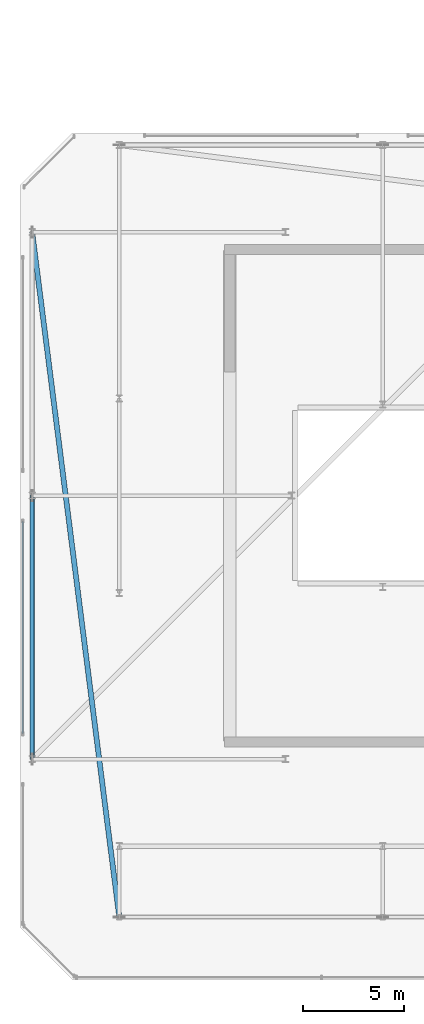
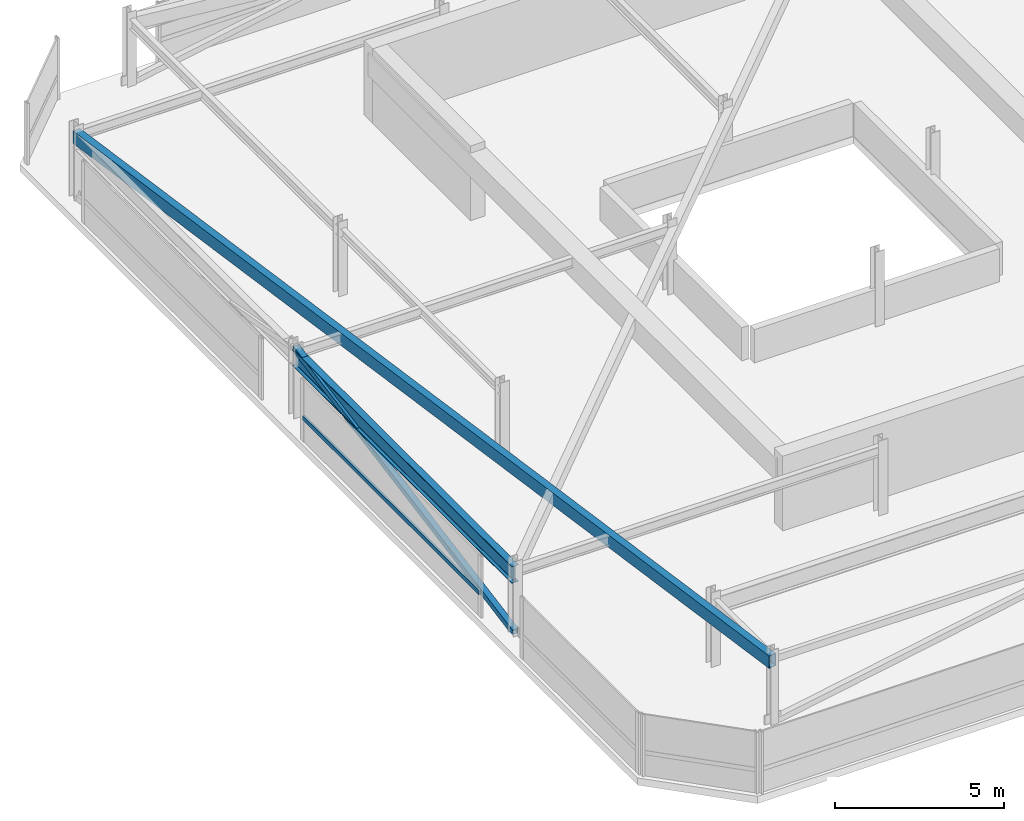
# One storey, part 13 of 44: 2 beams, 2 members, 1 element without a shape of its own.
"""IFC4 building model written with IfcOpenShell, lengths in metres."""

from ifc_helpers import new_model, si_unit, direction, frame, origin, origin_2d, place, context, subcontext, project, spatial, hollow_rectangle, i_section, extrude, material, material_profile, profile_set, type_object, element, aggregate, save


model = new_model("IFC4")

# Units and contexts
model_context = context("Model", 3, precision=1e-05, world=origin(), true_north=direction((0.0, 1.0)))
body_context = subcontext(model_context, "Body", "Model", "MODEL_VIEW")
ifc_project = project(units=[si_unit("LENGTHUNIT", "METRE"), si_unit("AREAUNIT", "SQUARE_METRE"), si_unit("VOLUMEUNIT", "CUBIC_METRE"), si_unit("PLANEANGLEUNIT", "RADIAN"), si_unit("MASSUNIT", "GRAM", prefix="KILO")], contexts=[model_context])

# Site, building, storey
site_placement = place(None, origin())
site = spatial("IfcSite", under=ifc_project, at=site_placement, CompositionType="ELEMENT")
building_placement = place(site_placement, origin())
building = spatial("IfcBuilding", under=site, at=building_placement, Name="Thornwick Lancets Civic Towers", CompositionType="ELEMENT")
storey_placement = place(building_placement, frame((0.0, 0.0, 292.199951171875)))
storey = spatial("IfcBuildingStorey", under=building, at=storey_placement, Name="C05", CompositionType="ELEMENT", Elevation=292.199951171875)

# Beams
ifc_material_1 = material(Name="Steel S355JR", Category="steel")
ifc_material_profile_1 = material_profile(ifc_material_1, i_section(OverallWidth=0.230224609375, OverallDepth=0.6171875, WebThickness=0.01318359375, FlangeThickness=0.022216796875, FilletRadius=0.0126953125, at=origin_2d()), Name="UKB 610x229x140")
ifc_profile_set_1 = profile_set([ifc_material_profile_1], Name="Steel S355JR")
beam_type_1 = type_object("IfcBeamType", Name="BM_GIRD_610_140", PredefinedType="BEAM", material=ifc_profile_set_1)
beam_1_placement = place(storey_placement, frame((8.199951171875, 14.0, 2.13134765625), z_axis=(0.0, 1.0, 0.0), x_axis=(-1.0, 0.0, 0.0)))
element("IfcBeam", 1, at=beam_1_placement, inside=storey, type_object=beam_type_1, Name="BM-SPINE-C05-A-9-10", PredefinedType="BEAM", context=body_context, shape_type="SweptSolid", body=[
    extrude(i_section(OverallWidth=0.230224609375, OverallDepth=0.6171875, WebThickness=0.01318359375, FlangeThickness=0.022216796875, FilletRadius=0.0126953125, at=origin_2d()), origin(), (0.0, 0.0, 1.0), 13.0),
])
ifc_material_profile_2 = material_profile(ifc_material_1, hollow_rectangle(XDim=0.25, YDim=0.449951171875, WallThickness=0.01611328125, at=origin_2d()), Name="RHS 450x250x16")
ifc_profile_set_2 = profile_set([ifc_material_profile_2], Name="Steel S355JR")
beam_type_2 = type_object("IfcBeamType", Name="BM_RING_RHS450", PredefinedType="BEAM", material=ifc_profile_set_2)
beam_2_placement = place(storey_placement, frame((8.199951171875, 40.0, 2.215087890625), z_axis=(0.126202998662, -0.992004437051, 0.0), x_axis=(0.992004437051, 0.126202998662, 0.0)))
element("IfcBeam", 2, at=beam_2_placement, inside=storey, type_object=beam_type_2, Name="BM-CHAMF-C05-A-C3", PredefinedType="BEAM", context=body_context, shape_type="SweptSolid", body=[
    extrude(hollow_rectangle(XDim=0.25, YDim=0.449951171875, WallThickness=0.01611328125, at=origin_2d()), origin(), (0.0, 0.0, 1.0), 34.072509765625),
])

# Curtain wall, member
ifc_material_2 = material(Name="Crown ring acoustic-louvre and glazing screen wall", Category="glass")
curtain_wall_type = type_object("IfcCurtainWallType", Name="CW_SYS_07", PredefinedType="NOTDEFINED", material=ifc_material_2)
curtain_wall_placement = place(storey_placement, origin())
curtain_wall = element("IfcCurtainWall", 3, at=curtain_wall_placement, inside=storey, type_object=curtain_wall_type, Name="C05 Curtain Wall CW-C05-A-E6-S2", PredefinedType="NOTDEFINED")
ifc_material_3 = material(Name="Thermally broken bronze aluminium S355", Category="steel")
ifc_material_profile_3 = material_profile(ifc_material_3, hollow_rectangle(XDim=0.074951171875, YDim=0.14990234375, WallThickness=0.0048828125, at=origin_2d()), Name="RHS 150x75x5")
ifc_profile_set_3 = profile_set([ifc_material_profile_3], Name="Thermally broken bronze aluminium S355")
member_type_1 = type_object("IfcMemberType", Name="CW_TRN_150", PredefinedType="USERDEFINED", material=ifc_profile_set_3)
member_1_placement = place(storey_placement, frame((7.7353515625, 25.72998046875, 0.85009765625), z_axis=(0.0, -1.0, 0.0), x_axis=(1.0, 0.0, 0.0)))
member_1 = element("IfcMember", 4, at=member_1_placement, type_object=member_type_1, Name="CW-C05-A-E6-S2 Transom 0", ObjectType="TRANSOM", PredefinedType="USERDEFINED", context=body_context, shape_type="SweptSolid", body=[
    extrude(hollow_rectangle(XDim=0.074951171875, YDim=0.14990234375, WallThickness=0.0048828125, at=origin_2d()), origin(), (0.0, 0.0, 1.0), 10.4599609375),
])
aggregate(curtain_wall, [member_1])

# Member
ifc_material_profile_4 = material_profile(ifc_material_1, hollow_rectangle(XDim=0.199951171875, YDim=0.199951171875, WallThickness=0.012451171875, at=origin_2d()), Name="SHS 200x200x12.5")
ifc_profile_set_4 = profile_set([ifc_material_profile_4], Name="Steel S355JR")
member_type_2 = type_object("IfcMemberType", Name="MEM_CROWN_SHS200", PredefinedType="BRACE", material=ifc_profile_set_4)
member_2_placement = place(storey_placement, frame((8.199951171875, 14.0, 0.050048828125), z_axis=(0.0, 0.98351842104, 0.180807951915), x_axis=(-1.0, 0.0, 0.0)))
element("IfcMember", 5, at=member_2_placement, inside=storey, type_object=member_type_2, Name="C05 Crown Ring Lancet Rib A-S3-L", PredefinedType="BRACE", context=body_context, shape_type="SweptSolid", body=[
    extrude(hollow_rectangle(XDim=0.199951171875, YDim=0.199951171875, WallThickness=0.012451171875, at=origin_2d()), origin(), (0.0, 0.0, 1.0), 13.2177734375),
])

save(model, "model.ifc")
